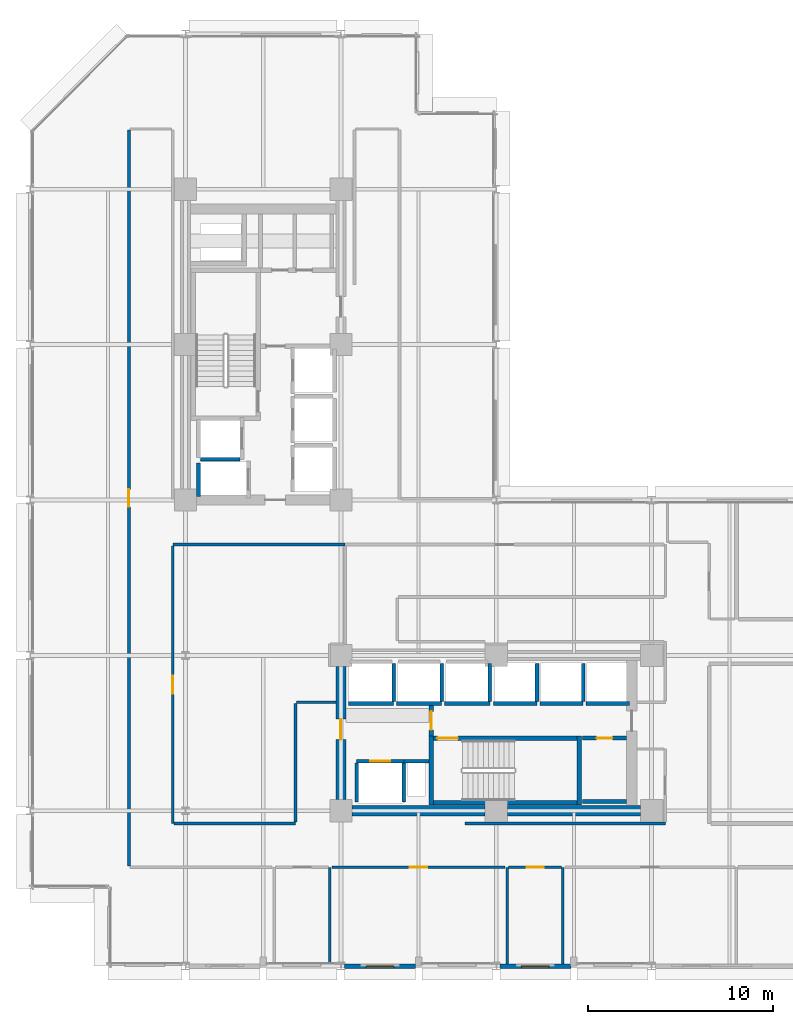
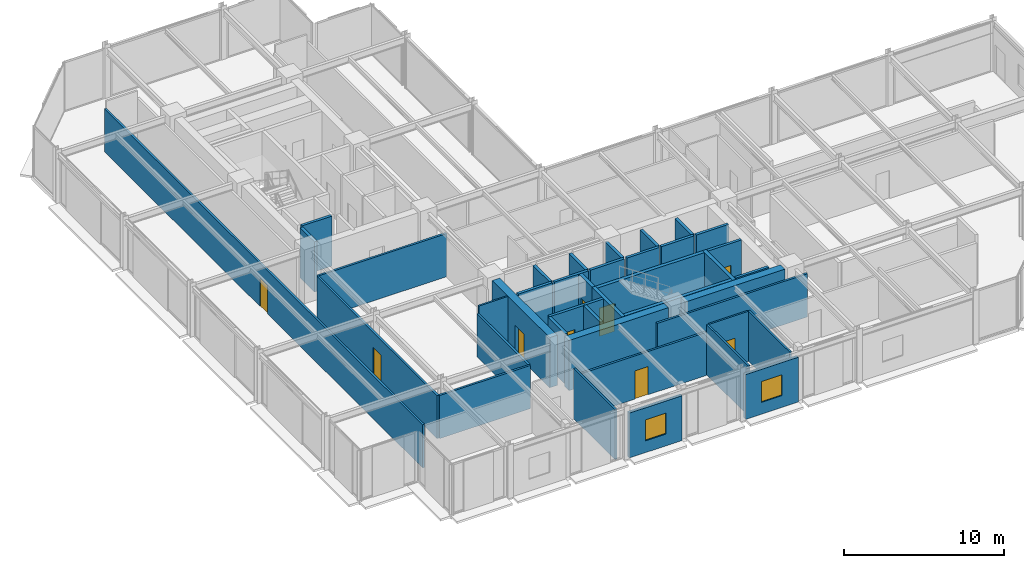
# One storey, part 32 of 39: 41 walls, 9 doors, 2 windows, 11 openings.
"""IFC4 building model written with IfcOpenShell, lengths in metres."""

import ifcopenshell
import ifcopenshell.guid

model = None  # the IFC model being written
_history = None  # IfcOwnerHistory: only IFC2X3 demands one
_inside = {}  # id of a spatial element -> (the spatial element, [elements in it])
_under = {}  # id of a project, library or spatial element -> (it, [spatial elements below it])
_declared = {}  # id of a project -> (the project, [libraries it declares])
_typed = {}  # id of a type object -> (the type object, [elements of that type])
_made_of = {}  # id of a material, layer set ... -> (it, [elements and type objects made of it])


def new_model(schema):
    """Start an empty IFC model of exactly this schema.

    Asked for "IFC4X3", IfcOpenShell would pick the latest addendum, in which some entities
    have other attributes; the version numbers below select the first issue.
    IFC2X3 requires an IfcOwnerHistory on every rooted entity: one is made here for all.
    """
    global model, _history
    if schema == "IFC4X3":
        model = ifcopenshell.file(schema_version=(4, 3, 0, 0))
    else:
        model = ifcopenshell.file(schema=schema)
    _inside.clear()
    _under.clear()
    _declared.clear()
    _typed.clear()
    _made_of.clear()
    _history = None
    if model.schema == "IFC2X3":
        org = make("IfcOrganization", Name="unknown")
        user = make(
            "IfcPersonAndOrganization",
            ThePerson=make("IfcPerson", FamilyName="unknown"),
            TheOrganization=org,
        )
        app = make(
            "IfcApplication",
            ApplicationDeveloper=org,
            Version="unknown",
            ApplicationFullName="unknown",
            ApplicationIdentifier="unknown",
        )
        _history = make(
            "IfcOwnerHistory",
            OwningUser=user,
            OwningApplication=app,
            ChangeAction="ADDED",
            CreationDate=0,
        )
    return model


def make(cls, **values):
    """One entity of the class cls with the attributes given. An attribute that is None is left unset."""
    return model.create_entity(
        cls, **{name: value for name, value in values.items() if value is not None}
    )


def rooted(cls, **values):
    """An entity with a GlobalId (a new one), such as an element, a storey or a relation."""
    return make(cls, GlobalId=ifcopenshell.guid.new(), OwnerHistory=_history, **values)


def si_unit(unit_type, name, prefix=None):
    """IfcSIUnit, for example si_unit("LENGTHUNIT", "METRE", prefix="MILLI")."""
    return make("IfcSIUnit", UnitType=unit_type, Prefix=prefix, Name=name)


def assignment(units):
    """IfcUnitAssignment: the units of a project."""
    return None if units is None else make("IfcUnitAssignment", Units=units)


def point(xyz):
    """IfcCartesianPoint."""
    return None if xyz is None else make("IfcCartesianPoint", Coordinates=xyz)


def direction(xyz):
    """IfcDirection."""
    return None if xyz is None else make("IfcDirection", DirectionRatios=xyz)


def frame(location, z_axis=None, x_axis=None):
    """IfcAxis2Placement3D, a coordinate frame: its origin and axes. An axis left out is left unset."""
    return make(
        "IfcAxis2Placement3D",
        Location=point(location),
        Axis=direction(z_axis),
        RefDirection=direction(x_axis),
    )


def frame_2d(location, x_axis=None):
    """IfcAxis2Placement2D, a coordinate frame in the plane: its origin and x axis."""
    return make(
        "IfcAxis2Placement2D", Location=point(location), RefDirection=direction(x_axis)
    )


def origin():
    """The frame at (0, 0, 0) with its axes left unset."""
    return frame((0.0, 0.0, 0.0))


def place(relative_to, where):
    """IfcLocalPlacement: puts the frame where relative to a parent placement (None: the world)."""
    return make(
        "IfcLocalPlacement", PlacementRelTo=relative_to, RelativePlacement=where
    )


def context(
    kind, dimensions, precision=None, world=None, true_north=None, identifier=None
):
    """IfcGeometricRepresentationContext, for example the 3D "Model" context."""
    return make(
        "IfcGeometricRepresentationContext",
        ContextIdentifier=identifier,
        ContextType=kind,
        CoordinateSpaceDimension=dimensions,
        Precision=precision,
        WorldCoordinateSystem=world,
        TrueNorth=true_north,
    )


def subcontext(parent, identifier, kind, view, scale=None):
    """IfcGeometricRepresentationSubContext, for example "Body" below "Model"."""
    return make(
        "IfcGeometricRepresentationSubContext",
        ContextIdentifier=identifier,
        ContextType=kind,
        ParentContext=parent,
        TargetScale=scale,
        TargetView=view,
    )


def project(units=None, contexts=None):
    """IfcProject with its units and contexts."""
    return rooted(
        "IfcProject",
        Name="project",
        RepresentationContexts=contexts,
        UnitsInContext=assignment(units),
    )


def spatial(cls, under=None, at=None, **own):
    """A site, building, storey or space (cls), placed at a placement, below another one or the project."""
    s = rooted(cls, ObjectPlacement=at, **own)
    if under is not None:
        _under.setdefault(under.id(), (under, []))[1].append(s)
    return s


def profile(cls, at=None, kind="AREA", **sizes):
    """A parametric profile (cls). Its sizes go by their IFC names, for example OverallWidth=200.0."""
    return make(cls, ProfileType=kind, Position=at, **sizes)


def rectangle(**sizes):
    """IfcRectangleProfileDef."""
    return profile("IfcRectangleProfileDef", **sizes)


def extrude(swept, where, along, depth):
    """IfcExtrudedAreaSolid: the profile swept, set in the frame where, extruded along a direction by depth."""
    return make(
        "IfcExtrudedAreaSolid",
        SweptArea=swept,
        Position=where,
        ExtrudedDirection=direction(along),
        Depth=depth,
    )


def shape(context_of_items, identifier, shape_type, items):
    """IfcShapeRepresentation: the items that make up one representation, for example the "Body"."""
    return make(
        "IfcShapeRepresentation",
        ContextOfItems=context_of_items,
        RepresentationIdentifier=identifier,
        RepresentationType=shape_type,
        Items=items,
    )


def material(Name=None, Category=None):
    """IfcMaterial."""
    return make("IfcMaterial", Name=Name, Category=Category)


def layer(
    of_material, thickness, ventilated=None, Name=None, Category=None, Priority=None
):
    """IfcMaterialLayer: one layer of a wall or slab, of a material (None: an air gap)."""
    return make(
        "IfcMaterialLayer",
        Material=of_material,
        LayerThickness=thickness,
        IsVentilated=ventilated,
        Name=Name,
        Category=Category,
        Priority=Priority,
    )


def layer_set(layers, Name=None):
    """IfcMaterialLayerSet."""
    return make("IfcMaterialLayerSet", MaterialLayers=layers, LayerSetName=Name)


def made_of(thing, what):
    """Note that an element or type object is made of a material, layer set ...; save() writes the relation."""
    if what is not None:
        _made_of.setdefault(what.id(), (what, []))[1].append(thing)
    return thing


def type_object(cls, material=None, **own):
    """A type object (cls), such as IfcWallType, which elements share."""
    return made_of(rooted(cls, **own), material)


def element(
    cls,
    number,
    at=None,
    inside=None,
    cuts=None,
    type_object=None,
    material=None,
    context=None,
    identifier="Body",
    shape_type=None,
    held_by="IfcProductDefinitionShape",
    body=None,
    shapes=None,
    **own,
):
    """One element of the class cls, such as IfcWall. Its Tag is "e" and its number.

    at: its placement. inside: the storey or other place that contains it. cuts: it is an
    opening in that element (IfcRelVoidsElement). A single representation is given by context,
    identifier, shape_type and body (its items); several are given by shapes. held_by: the class
    of the entity that holds the representations. save() writes the other relations.
    """
    e = rooted(cls, Tag="e%d" % number, ObjectPlacement=at, **own)
    if body is not None:
        shapes = [shape(context, identifier, shape_type, body)]
    if shapes is not None:
        e.Representation = make(held_by, Representations=shapes)
    if inside is not None:
        _inside.setdefault(inside.id(), (inside, []))[1].append(e)
    if cuts is not None:
        rooted(
            "IfcRelVoidsElement", RelatingBuildingElement=cuts, RelatedOpeningElement=e
        )
    if type_object is not None:
        _typed.setdefault(type_object.id(), (type_object, []))[1].append(e)
    return made_of(e, material)


def fill(opening, filler):
    """IfcRelFillsElement: the door or window that sits in an opening."""
    return rooted(
        "IfcRelFillsElement",
        RelatingOpeningElement=opening,
        RelatedBuildingElement=filler,
    )


def aggregate(whole, parts):
    """IfcRelAggregates: a whole, such as a stair, and the parts it consists of."""
    return rooted("IfcRelAggregates", RelatingObject=whole, RelatedObjects=parts)


def save(model, path):
    """Write the relations noted so far, then the file.

    IfcRelAggregates (storeys below a building ...), IfcRelContainedInSpatialStructure (elements
    in a storey), IfcRelDefinesByType, IfcRelAssociatesMaterial and IfcRelDeclares: one each for
    every whole, place, type object, material and project.
    """
    for whole, parts in _under.values():
        aggregate(whole, parts)
    for where, things in _inside.values():
        rooted(
            "IfcRelContainedInSpatialStructure",
            RelatedElements=things,
            RelatingStructure=where,
        )
    for kind, things in _typed.values():
        rooted("IfcRelDefinesByType", RelatedObjects=things, RelatingType=kind)
    for what, things in _made_of.values():
        rooted("IfcRelAssociatesMaterial", RelatedObjects=things, RelatingMaterial=what)
    for by, libraries in _declared.values():
        rooted("IfcRelDeclares", RelatingContext=by, RelatedDefinitions=libraries)
    model.write(path)


model = new_model("IFC4")

# Units and contexts
model_context = context("Model", 3, precision=1e-05, world=origin(), true_north=direction((0.0, 1.0)))
body_context = subcontext(model_context, "Body", "Model", "MODEL_VIEW")
ifc_project = project(units=[si_unit("LENGTHUNIT", "METRE"), si_unit("AREAUNIT", "SQUARE_METRE"), si_unit("VOLUMEUNIT", "CUBIC_METRE"), si_unit("PLANEANGLEUNIT", "RADIAN"), si_unit("MASSUNIT", "GRAM", prefix="KILO")], contexts=[model_context])

# Site, building, storey
site_placement = place(None, origin())
site = spatial("IfcSite", under=ifc_project, at=site_placement, CompositionType="ELEMENT")
building_placement = place(site_placement, origin())
building = spatial("IfcBuilding", under=site, at=building_placement, Name="Nerrivon Quay Data Exchange", CompositionType="ELEMENT")
storey_placement = place(building_placement, frame((0.0, 0.0, 92.60009765625)))
storey = spatial("IfcBuildingStorey", under=building, at=storey_placement, Name="L21", CompositionType="ELEMENT", Elevation=92.60009765625)

# Wall, opening, window
ifc_material_1 = material(Name="Architectural terracotta precast concrete N50 (50 MPa)", Category="masonry")
ifc_layer_1 = layer(ifc_material_1, 0.239990234375)
ifc_layer_set_1 = layer_set([ifc_layer_1], Name="Architectural terracotta precast concrete N50 (50 MPa)")
wall_type_1 = type_object("IfcWallType", Name="EW-PREC-240", PredefinedType="STANDARD", material=ifc_layer_set_1)
wall_1_placement = place(storey_placement, frame((29.22509765625, 0.0, 0.0), z_axis=(0.0, 0.0, 1.0), x_axis=(-1.0, 0.0, 0.0)))
wall_1 = element("IfcWall", 1, at=wall_1_placement, inside=storey, type_object=wall_type_1, Name="L21 Podium Precast Spandrel Wall 9", PredefinedType="STANDARD", context=body_context, shape_type="SweptSolid", body=[
    extrude(rectangle(XDim=3.8251953125, YDim=0.239990234375, at=frame_2d((1.91259765625, 0.0))), origin(), (0.0, 0.0, 1.0), 3.421875),
])
opening_1_placement = place(wall_1_placement, frame((1.175048828125, 0.0, 0.89990234375)))
opening_1 = element("IfcOpeningElement", 2, at=opening_1_placement, cuts=wall_1, Name="Opening WN4", PredefinedType="OPENING", context=body_context, shape_type="SweptSolid", body=[
    extrude(rectangle(XDim=1.5, YDim=1.60009765625, at=frame_2d((0.75, 0.800048828125))), frame((0.0, 0.1298828125, 0.0), z_axis=(0.0, -1.0, 0.0), x_axis=(1.0, 0.0, 0.0)), (0.0, 0.0, 1.0), 0.260009765625),
])
ifc_material_2 = material(Name="Double-glazed low-E solar control glass", Category="glass")
window_type = type_object("IfcWindowType", Name="WIN-W4-1500x1600", PartitioningType="SINGLE_PANEL", PredefinedType="WINDOW", material=ifc_material_2)
window_1_placement = place(opening_1_placement, origin())
window_1 = element("IfcWindow", 3, at=window_1_placement, inside=storey, type_object=window_type, Name="L21 Solar Facade Window 9", OverallHeight=1.60009765625, OverallWidth=1.5, PartitioningType="SINGLE_PANEL", PredefinedType="WINDOW", context=body_context, shape_type="SweptSolid", body=[
    extrude(rectangle(XDim=1.5, YDim=1.60009765625, at=frame_2d((0.75, 0.800048828125))), frame((0.0, 0.030029296875, 0.0), z_axis=(0.0, -1.0, 0.0), x_axis=(1.0, 0.0, 0.0)), (0.0, 0.0, 1.0), 0.06005859375),
])
fill(opening_1, window_1)

wall_2_placement = place(storey_placement, frame((20.824951171875, 0.0, 0.0), z_axis=(0.0, 0.0, 1.0), x_axis=(-1.0, 0.0, 0.0)))
wall_2 = element("IfcWall", 4, at=wall_2_placement, inside=storey, type_object=wall_type_1, Name="L21 Podium Precast Spandrel Wall 11", PredefinedType="STANDARD", context=body_context, shape_type="SweptSolid", body=[
    extrude(rectangle(XDim=3.824951171875, YDim=0.239990234375, at=frame_2d((1.91259765625, 0.0))), origin(), (0.0, 0.0, 1.0), 3.421875),
])
opening_2_placement = place(wall_2_placement, frame((1.16259765625, 0.0, 0.89990234375)))
opening_2 = element("IfcOpeningElement", 5, at=opening_2_placement, cuts=wall_2, Name="Opening WN4", PredefinedType="OPENING", context=body_context, shape_type="SweptSolid", body=[
    extrude(rectangle(XDim=1.5, YDim=1.60009765625, at=frame_2d((0.75, 0.800048828125))), frame((0.0, 0.1298828125, 0.0), z_axis=(0.0, -1.0, 0.0), x_axis=(1.0, 0.0, 0.0)), (0.0, 0.0, 1.0), 0.260009765625),
])
window_2_placement = place(opening_2_placement, origin())
window_2 = element("IfcWindow", 6, at=window_2_placement, inside=storey, type_object=window_type, Name="L21 Solar Facade Window 11", OverallHeight=1.60009765625, OverallWidth=1.5, PartitioningType="SINGLE_PANEL", PredefinedType="WINDOW", context=body_context, shape_type="SweptSolid", body=[
    extrude(rectangle(XDim=1.5, YDim=1.60009765625, at=frame_2d((0.75, 0.800048828125))), frame((0.0, 0.030029296875, 0.0), z_axis=(0.0, -1.0, 0.0), x_axis=(1.0, 0.0, 0.0)), (0.0, 0.0, 1.0), 0.06005859375),
])
fill(opening_2, window_2)

# Walls
ifc_material_3 = material(Name="Concrete S65 (65 MPa)", Category="concrete")
ifc_layer_2 = layer(ifc_material_3, 0.550048828125)
ifc_layer_set_2 = layer_set([ifc_layer_2], Name="Concrete S65 (65 MPa)")
wall_type_2 = type_object("IfcWallType", Name="WALL-CW-700", PredefinedType="SHEAR", material=ifc_layer_set_2)
wall_3_placement = place(storey_placement, frame((17.39990234375, 8.39990234375, 0.0), z_axis=(0.0, 0.0, 1.0), x_axis=(1.0, 0.0, 0.0)))
element("IfcWall", 7, at=wall_3_placement, inside=storey, type_object=wall_type_2, Name="L21 East Split-Core Shear Wall ECW-S1", PredefinedType="SHEAR", context=body_context, shape_type="SweptSolid", body=[
    extrude(rectangle(XDim=7.2001953125, YDim=0.550048828125, at=frame_2d((3.60009765625, 0.0))), origin(), (0.0, 0.0, 1.0), 3.824951171875),
])
wall_4_placement = place(storey_placement, frame((25.800048828125, 8.39990234375, 0.0), z_axis=(0.0, 0.0, 1.0), x_axis=(1.0, 0.0, 0.0)))
element("IfcWall", 8, at=wall_4_placement, inside=storey, type_object=wall_type_2, Name="L21 East Split-Core Shear Wall ECW-S2", PredefinedType="SHEAR", context=body_context, shape_type="SweptSolid", body=[
    extrude(rectangle(XDim=7.199951171875, YDim=0.550048828125, at=frame_2d((3.60009765625, 0.0))), origin(), (0.0, 0.0, 1.0), 3.824951171875),
])

# Wall, opening, door
wall_5_placement = place(storey_placement, frame((16.800048828125, 9.0, 0.0), z_axis=(0.0, 0.0, 1.0), x_axis=(0.0, 1.0, 0.0)))
wall_5 = element("IfcWall", 9, at=wall_5_placement, inside=storey, type_object=wall_type_2, Name="L21 East Split-Core Shear Wall ECW-W1", PredefinedType="SHEAR", context=body_context, shape_type="SweptSolid", body=[
    extrude(rectangle(XDim=7.199951171875, YDim=0.550048828125, at=frame_2d((3.60009765625, 0.0))), origin(), (0.0, 0.0, 1.0), 3.824951171875),
])
opening_3_placement = place(wall_5_placement, frame((3.25, 0.0, 0.0)))
opening_3 = element("IfcOpeningElement", 10, at=opening_3_placement, cuts=wall_5, Name="Opening FD-120", PredefinedType="OPENING", context=body_context, shape_type="SweptSolid", body=[
    extrude(rectangle(XDim=1.10009765625, YDim=2.14990234375, at=frame_2d((0.550048828125, 1.074951171875))), frame((0.0, 0.284912109375, 0.0), z_axis=(0.0, -1.0, 0.0), x_axis=(1.0, 0.0, 0.0)), (0.0, 0.0, 1.0), 0.570068359375),
])
ifc_material_4 = material(Name="Powder-coated galvanized steel sheet", Category="steel")
door_type_1 = type_object("IfcDoorType", Name="DR-FD120-1100", OperationType="NOTDEFINED", PredefinedType="DOOR", material=ifc_material_4)
door_1_placement = place(opening_3_placement, origin())
door_1 = element("IfcDoor", 11, at=door_1_placement, inside=storey, type_object=door_type_1, Name="L21 East Core Lobby Fire Door", OperationType="SINGLE_SWING_LEFT", OverallHeight=2.14990234375, OverallWidth=1.10009765625, PredefinedType="DOOR", context=body_context, shape_type="SweptSolid", body=[
    extrude(rectangle(XDim=1.10009765625, YDim=2.14990234375, at=frame_2d((0.550048828125, 1.074951171875))), frame((0.0, 0.02490234375, 0.0), z_axis=(0.0, -1.0, 0.0), x_axis=(1.0, 0.0, 0.0)), (0.0, 0.0, 1.0), 0.050048828125),
])
fill(opening_3, door_1)

# Walls
ifc_material_5 = material(Name="Gypsum plasterboard on cold-formed framing", Category="gypsum")
ifc_layer_3 = layer(ifc_material_5, 0.199951171875)
ifc_layer_set_3 = layer_set([ifc_layer_3], Name="Gypsum plasterboard on cold-formed framing")
wall_type_3 = type_object("IfcWallType", Name="WALL-FW-200", PredefinedType="PARTITIONING", material=ifc_layer_set_3)
wall_6_placement = place(storey_placement, frame((20.199951171875, 11.080078125, 0.0), z_axis=(0.0, 0.0, 1.0), x_axis=(1.0, 0.0, 0.0)))
element("IfcWall", 12, at=wall_6_placement, inside=storey, type_object=wall_type_3, Name="L21 East Core MEP Riser Shaft Wall N", PredefinedType="PARTITIONING", context=body_context, shape_type="SweptSolid", body=[
    extrude(rectangle(XDim=1.35009765625, YDim=0.199951171875, at=frame_2d((0.675048828125, 0.0))), origin(), (0.0, 0.0, 1.0), 3.824951171875),
])
wall_7_placement = place(storey_placement, frame((9.199951171875, 27.39990234375, 0.0), z_axis=(0.0, 0.0, 1.0), x_axis=(1.0, 0.0, 0.0)))
element("IfcWall", 13, at=wall_7_placement, inside=storey, type_object=wall_type_3, Name="L21 Lift Shaft Wall FFL-1 SOUTH", PredefinedType="PARTITIONING", context=body_context, shape_type="SweptSolid", body=[
    extrude(rectangle(XDim=2.150146484375, YDim=0.199951171875, at=frame_2d((1.0751953125, 0.0))), origin(), (0.0, 0.0, 1.0), 3.824951171875),
])
wall_8_placement = place(storey_placement, frame((9.10009765625, 25.39990234375, 0.0), z_axis=(0.0, 0.0, 1.0), x_axis=(0.0, 1.0, 0.0)))
element("IfcWall", 14, at=wall_8_placement, inside=storey, type_object=wall_type_3, Name="L21 Lift Shaft Wall SVL-1 WEST", PredefinedType="PARTITIONING", context=body_context, shape_type="SweptSolid", body=[
    extrude(rectangle(XDim=1.800048828125, YDim=0.199951171875, at=frame_2d((0.89990234375, 0.0))), origin(), (0.0, 0.0, 1.0), 3.824951171875),
])

# Wall, opening, door
wall_9_placement = place(storey_placement, frame((17.64990234375, 11.080078125, 0.0), z_axis=(0.0, 0.0, 1.0), x_axis=(1.0, 0.0, 0.0)))
wall_9 = element("IfcWall", 15, at=wall_9_placement, inside=storey, type_object=wall_type_3, Name="L21 Lift Front Wall FFL-2", PredefinedType="PARTITIONING", context=body_context, shape_type="SweptSolid", body=[
    extrude(rectangle(XDim=2.550048828125, YDim=0.199951171875, at=frame_2d((1.27490234375, 0.0))), origin(), (0.0, 0.0, 1.0), 3.824951171875),
])
opening_4_placement = place(wall_9_placement, frame((0.72509765625, 0.0, 0.0)))
opening_4 = element("IfcOpeningElement", 16, at=opening_4_placement, cuts=wall_9, Name="Opening LD-120", PredefinedType="OPENING", context=body_context, shape_type="SweptSolid", body=[
    extrude(rectangle(XDim=1.10009765625, YDim=2.199951171875, at=frame_2d((0.550048828125, 1.10009765625))), frame((0.0, 0.10986328125, 0.0), z_axis=(0.0, -1.0, 0.0), x_axis=(1.0, 0.0, 0.0)), (0.0, 0.0, 1.0), 0.219970703125),
])
door_type_2 = type_object("IfcDoorType", Name="DR-LIFT-LD120", OperationType="DOUBLE_DOOR_SLIDING", PredefinedType="DOOR", material=ifc_material_4)
door_2_placement = place(opening_4_placement, origin())
door_2 = element("IfcDoor", 17, at=door_2_placement, inside=storey, type_object=door_type_2, Name="L21 Lift Landing Sliding Door FFL-2", OperationType="DOUBLE_DOOR_SLIDING", OverallHeight=2.199951171875, OverallWidth=1.10009765625, PredefinedType="DOOR", context=body_context, shape_type="SweptSolid", body=[
    extrude(rectangle(XDim=1.10009765625, YDim=2.199951171875, at=frame_2d((0.550048828125, 1.10009765625))), frame((0.0, 0.02490234375, 0.0), z_axis=(0.0, -1.0, 0.0), x_axis=(1.0, 0.0, 0.0)), (0.0, 0.0, 1.0), 0.050048828125),
])
fill(opening_4, door_2)

# Walls
for number, where, z_axis, x_axis, name in (
    (18, (20.199951171875, 8.8798828125, 0.0), (0.0, 0.0, 1.0), (0.0, 1.0, 0.0), "L21 Lift Shaft Wall FFL-2 EAST"),
    (19, (17.64990234375, 8.8798828125, 0.0), (0.0, 0.0, 1.0), (0.0, 1.0, 0.0), "L21 Lift Shaft Wall FFL-2 WEST"),
):
    element("IfcWall", number, at=place(storey_placement, frame(where, z_axis=z_axis, x_axis=x_axis)), inside=storey, type_object=wall_type_3, Name=name, PredefinedType="PARTITIONING", context=body_context, shape_type="SweptSolid", body=[
        extrude(rectangle(XDim=2.10009765625, YDim=0.199951171875, at=frame_2d((1.050048828125, 0.0))), origin(), (0.0, 0.0, 1.0), 3.824951171875),
    ])
wall_10_placement = place(storey_placement, frame((17.199951171875, 14.199951171875, 0.0), z_axis=(0.0, 0.0, 1.0), x_axis=(1.0, 0.0, 0.0)))
element("IfcWall", 20, at=wall_10_placement, inside=storey, type_object=wall_type_3, Name="L21 Lift Front Wall PL4", PredefinedType="PARTITIONING", context=body_context, shape_type="SweptSolid", body=[
    extrude(rectangle(XDim=2.449951171875, YDim=0.199951171875, at=frame_2d((1.22509765625, 0.0))), origin(), (0.0, 0.0, 1.0), 3.824951171875),
])
wall_11_placement = place(storey_placement, frame((19.64990234375, 14.300048828125, 0.0), z_axis=(0.0, 0.0, 1.0), x_axis=(0.0, 1.0, 0.0)))
element("IfcWall", 21, at=wall_11_placement, inside=storey, type_object=wall_type_3, Name="L21 Lift Shaft Wall PL4 EAST", PredefinedType="PARTITIONING", context=body_context, shape_type="SweptSolid", body=[
    extrude(rectangle(XDim=2.050048828125, YDim=0.199951171875, at=frame_2d((1.02490234375, 0.0))), origin(), (0.0, 0.0, 1.0), 3.824951171875),
])
wall_12_placement = place(storey_placement, frame((19.800048828125, 14.199951171875, 0.0), z_axis=(0.0, 0.0, 1.0), x_axis=(1.0, 0.0, 0.0)))
element("IfcWall", 22, at=wall_12_placement, inside=storey, type_object=wall_type_3, Name="L21 Lift Front Wall PL5", PredefinedType="PARTITIONING", context=body_context, shape_type="SweptSolid", body=[
    extrude(rectangle(XDim=2.449951171875, YDim=0.199951171875, at=frame_2d((1.22509765625, 0.0))), origin(), (0.0, 0.0, 1.0), 3.824951171875),
])
wall_13_placement = place(storey_placement, frame((22.25, 14.300048828125, 0.0), z_axis=(0.0, 0.0, 1.0), x_axis=(0.0, 1.0, 0.0)))
element("IfcWall", 23, at=wall_13_placement, inside=storey, type_object=wall_type_3, Name="L21 Lift Shaft Wall PL5 EAST", PredefinedType="PARTITIONING", context=body_context, shape_type="SweptSolid", body=[
    extrude(rectangle(XDim=2.050048828125, YDim=0.199951171875, at=frame_2d((1.02490234375, 0.0))), origin(), (0.0, 0.0, 1.0), 3.824951171875),
])
wall_14_placement = place(storey_placement, frame((22.39990234375, 14.199951171875, 0.0), z_axis=(0.0, 0.0, 1.0), x_axis=(1.0, 0.0, 0.0)))
element("IfcWall", 24, at=wall_14_placement, inside=storey, type_object=wall_type_3, Name="L21 Lift Front Wall PL6", PredefinedType="PARTITIONING", context=body_context, shape_type="SweptSolid", body=[
    extrude(rectangle(XDim=2.4501953125, YDim=0.199951171875, at=frame_2d((1.22509765625, 0.0))), origin(), (0.0, 0.0, 1.0), 3.824951171875),
])
wall_15_placement = place(storey_placement, frame((24.85009765625, 14.300048828125, 0.0), z_axis=(0.0, 0.0, 1.0), x_axis=(0.0, 1.0, 0.0)))
element("IfcWall", 25, at=wall_15_placement, inside=storey, type_object=wall_type_3, Name="L21 Lift Shaft Wall PL6 EAST", PredefinedType="PARTITIONING", context=body_context, shape_type="SweptSolid", body=[
    extrude(rectangle(XDim=2.050048828125, YDim=0.199951171875, at=frame_2d((1.02490234375, 0.0))), origin(), (0.0, 0.0, 1.0), 3.824951171875),
])
wall_16_placement = place(storey_placement, frame((25.050048828125, 14.199951171875, 0.0), z_axis=(0.0, 0.0, 1.0), x_axis=(1.0, 0.0, 0.0)))
element("IfcWall", 26, at=wall_16_placement, inside=storey, type_object=wall_type_3, Name="L21 Lift Front Wall PL7", PredefinedType="PARTITIONING", context=body_context, shape_type="SweptSolid", body=[
    extrude(rectangle(XDim=2.349853515625, YDim=0.199951171875, at=frame_2d((1.1748046875, 0.0))), origin(), (0.0, 0.0, 1.0), 3.824951171875),
])
wall_17_placement = place(storey_placement, frame((27.39990234375, 14.300048828125, 0.0), z_axis=(0.0, 0.0, 1.0), x_axis=(0.0, 1.0, 0.0)))
element("IfcWall", 27, at=wall_17_placement, inside=storey, type_object=wall_type_3, Name="L21 Lift Shaft Wall PL7 EAST", PredefinedType="PARTITIONING", context=body_context, shape_type="SweptSolid", body=[
    extrude(rectangle(XDim=2.050048828125, YDim=0.199951171875, at=frame_2d((1.02490234375, 0.0))), origin(), (0.0, 0.0, 1.0), 3.824951171875),
])
wall_18_placement = place(storey_placement, frame((27.550048828125, 14.199951171875, 0.0), z_axis=(0.0, 0.0, 1.0), x_axis=(1.0, 0.0, 0.0)))
element("IfcWall", 28, at=wall_18_placement, inside=storey, type_object=wall_type_3, Name="L21 Lift Front Wall PL8", PredefinedType="PARTITIONING", context=body_context, shape_type="SweptSolid", body=[
    extrude(rectangle(XDim=2.349853515625, YDim=0.199951171875, at=frame_2d((1.1748046875, 0.0))), origin(), (0.0, 0.0, 1.0), 3.824951171875),
])
wall_19_placement = place(storey_placement, frame((29.89990234375, 14.300048828125, 0.0), z_axis=(0.0, 0.0, 1.0), x_axis=(0.0, 1.0, 0.0)))
element("IfcWall", 29, at=wall_19_placement, inside=storey, type_object=wall_type_3, Name="L21 Lift Shaft Wall PL8 EAST", PredefinedType="PARTITIONING", context=body_context, shape_type="SweptSolid", body=[
    extrude(rectangle(XDim=2.050048828125, YDim=0.199951171875, at=frame_2d((1.02490234375, 0.0))), origin(), (0.0, 0.0, 1.0), 3.824951171875),
])
wall_20_placement = place(storey_placement, frame((30.050048828125, 14.199951171875, 0.0), z_axis=(0.0, 0.0, 1.0), x_axis=(1.0, 0.0, 0.0)))
element("IfcWall", 30, at=wall_20_placement, inside=storey, type_object=wall_type_3, Name="L21 Lift Front Wall PL9", PredefinedType="PARTITIONING", context=body_context, shape_type="SweptSolid", body=[
    extrude(rectangle(XDim=2.349853515625, YDim=0.199951171875, at=frame_2d((1.1748046875, 0.0))), origin(), (0.0, 0.0, 1.0), 3.824951171875),
])

# Wall, opening, door
wall_21_placement = place(storey_placement, frame((32.24609375, 12.330078125, 0.0), z_axis=(0.0, 0.0, 1.0), x_axis=(-1.0, 0.0, 0.0)))
wall_21 = element("IfcWall", 31, at=wall_21_placement, inside=storey, type_object=wall_type_3, Name="L21 Partition East Supply Store", PredefinedType="PARTITIONING", context=body_context, shape_type="SweptSolid", body=[
    extrude(rectangle(XDim=2.39599609375, YDim=0.199951171875, at=frame_2d((1.197998046875, 0.0))), origin(), (0.0, 0.0, 1.0), 3.824951171875),
])
opening_5_placement = place(wall_21_placement, frame((0.77294921875, 0.0, 0.0)))
opening_5 = element("IfcOpeningElement", 32, at=opening_5_placement, cuts=wall_21, Name="Opening FD-60S", PredefinedType="OPENING", context=body_context, shape_type="SweptSolid", body=[
    extrude(rectangle(XDim=0.85009765625, YDim=2.14990234375, at=frame_2d((0.425048828125, 1.074951171875))), frame((0.0, 0.10986328125, 0.0), z_axis=(0.0, -1.0, 0.0), x_axis=(1.0, 0.0, 0.0)), (0.0, 0.0, 1.0), 0.219970703125),
])
ifc_material_6 = material(Name="Engineered hardwood timber", Category="wood")
door_type_3 = type_object("IfcDoorType", Name="DR-FD60-850", OperationType="NOTDEFINED", PredefinedType="DOOR", material=ifc_material_6)
door_3_placement = place(opening_5_placement, origin())
door_3 = element("IfcDoor", 33, at=door_3_placement, inside=storey, type_object=door_type_3, Name="L21 Door East Supply Store", OperationType="SINGLE_SWING_RIGHT", OverallHeight=2.14990234375, OverallWidth=0.85009765625, PredefinedType="DOOR", context=body_context, shape_type="SweptSolid", body=[
    extrude(rectangle(XDim=0.85009765625, YDim=2.14990234375, at=frame_2d((0.425048828125, 1.074951171875))), frame((0.0, 0.02490234375, 0.0), z_axis=(0.0, -1.0, 0.0), x_axis=(1.0, 0.0, 0.0)), (0.0, 0.0, 1.0), 0.050048828125),
])
fill(opening_5, door_3)

# Wall
wall_22_placement = place(storey_placement, frame((29.85009765625, 8.89990234375, 0.0), z_axis=(0.0, 0.0, 1.0), x_axis=(1.0, 0.0, 0.0)))
element("IfcWall", 34, at=wall_22_placement, inside=storey, type_object=wall_type_3, Name="L21 Partition East Supply Store", PredefinedType="PARTITIONING", context=body_context, shape_type="SweptSolid", body=[
    extrude(rectangle(XDim=2.39599609375, YDim=0.199951171875, at=frame_2d((1.197998046875, 0.0))), origin(), (0.0, 0.0, 1.0), 3.824951171875),
])

# Wall, opening, door
ifc_layer_4 = layer(ifc_material_5, 0.1201171875)
ifc_layer_set_4 = layer_set([ifc_layer_4], Name="Gypsum plasterboard on cold-formed framing")
wall_type_4 = type_object("IfcWallType", Name="WALL-PT-120", PredefinedType="PARTITIONING", material=ifc_layer_set_4)
wall_23_placement = place(storey_placement, frame((28.728515625, 5.340087890625, 0.0), z_axis=(0.0, 0.0, 1.0), x_axis=(-1.0, 0.0, 0.0)))
wall_23 = element("IfcWall", 35, at=wall_23_placement, inside=storey, type_object=wall_type_4, Name="L21 Partition Public Washrooms", PredefinedType="PARTITIONING", context=body_context, shape_type="SweptSolid", body=[
    extrude(rectangle(XDim=2.85693359375, YDim=0.1201171875, at=frame_2d((1.428466796875, 0.0))), origin(), (0.0, 0.0, 1.0), 3.824951171875),
])
opening_6_placement = place(wall_23_placement, frame((0.968505859375, 0.0, 0.0)))
opening_6 = element("IfcOpeningElement", 36, at=opening_6_placement, cuts=wall_23, Name="Opening D-WC", PredefinedType="OPENING", context=body_context, shape_type="SweptSolid", body=[
    extrude(rectangle(XDim=0.919921875, YDim=2.10009765625, at=frame_2d((0.4599609375, 1.050048828125))), frame((0.0, 0.070068359375, 0.0), z_axis=(0.0, -1.0, 0.0), x_axis=(1.0, 0.0, 0.0)), (0.0, 0.0, 1.0), 0.14013671875),
])
door_type_4 = type_object("IfcDoorType", Name="DR-WC-920", OperationType="NOTDEFINED", PredefinedType="DOOR", material=ifc_material_6)
door_4_placement = place(opening_6_placement, origin())
door_4 = element("IfcDoor", 37, at=door_4_placement, inside=storey, type_object=door_type_4, Name="L21 Door Public Washrooms", OperationType="SINGLE_SWING_RIGHT", OverallHeight=2.10009765625, OverallWidth=0.919921875, PredefinedType="DOOR", context=body_context, shape_type="SweptSolid", body=[
    extrude(rectangle(XDim=0.919921875, YDim=2.10009765625, at=frame_2d((0.4599609375, 1.050048828125))), frame((0.0, 0.02490234375, 0.0), z_axis=(0.0, -1.0, 0.0), x_axis=(1.0, 0.0, 0.0)), (0.0, 0.0, 1.0), 0.050048828125),
])
fill(opening_6, door_4)

# Walls
wall_24_placement = place(storey_placement, frame((14.39990234375, 14.260009765625, 0.0), z_axis=(0.0, 0.0, 1.0), x_axis=(1.0, 0.0, 0.0)))
element("IfcWall", 38, at=wall_24_placement, inside=storey, type_object=wall_type_4, Name="L21 Partition Cloud Compute Workspace 1", PredefinedType="PARTITIONING", context=body_context, shape_type="SweptSolid", body=[
    extrude(rectangle(XDim=2.12109375, YDim=0.1201171875, at=frame_2d((1.060546875, 0.0))), origin(), (0.0, 0.0, 1.0), 3.824951171875),
])
ifc_layer_5 = layer(ifc_material_5, 0.135009765625)
ifc_layer_set_5 = layer_set([ifc_layer_5], Name="Gypsum plasterboard on cold-formed framing")
wall_type_5 = type_object("IfcWallType", Name="WALL-PT-135", PredefinedType="PARTITIONING", material=ifc_layer_set_5)
wall_25_placement = place(storey_placement, frame((16.199951171875, 0.1689453125, 0.0), z_axis=(0.0, 0.0, 1.0), x_axis=(0.0, 1.0, 0.0)))
element("IfcWall", 39, at=wall_25_placement, inside=storey, type_object=wall_type_5, Name="L21 Partition Accessible Toilet", PredefinedType="PARTITIONING", context=body_context, shape_type="SweptSolid", body=[
    extrude(rectangle(XDim=5.171142578125, YDim=0.135009765625, at=frame_2d((2.58544921875, 0.0))), origin(), (0.0, 0.0, 1.0), 3.824951171875),
])
for number, where, z_axis, x_axis, name in (
    (40, (25.800048828125, 5.340087890625, 0.0), (0.0, 0.0, 1.0), (0.0, -1.0, 0.0), "L21 Partition Public Washrooms"),
    (41, (28.800048828125, 0.1240234375, 0.0), (0.0, 0.0, 1.0), (0.0, 1.0, 0.0), "L21 Partition Public Washrooms"),
):
    element("IfcWall", number, at=place(storey_placement, frame(where, z_axis=z_axis, x_axis=x_axis)), inside=storey, type_object=wall_type_5, Name=name, PredefinedType="PARTITIONING", context=body_context, shape_type="SweptSolid", body=[
        extrude(rectangle(XDim=5.216064453125, YDim=0.135009765625, at=frame_2d((2.60791015625, 0.0))), origin(), (0.0, 0.0, 1.0), 3.824951171875),
    ])
ifc_layer_6 = layer(ifc_material_5, 0.14990234375)
ifc_layer_set_6 = layer_set([ifc_layer_6], Name="Gypsum plasterboard on cold-formed framing")
wall_type_6 = type_object("IfcWallType", Name="WALL-PT-150", PredefinedType="PARTITIONING", material=ifc_layer_set_6)
wall_26_placement = place(storey_placement, frame((23.50244140625, 7.7099609375, 0.0), z_axis=(0.0, 0.0, 1.0), x_axis=(1.0, 0.0, 0.0)))
element("IfcWall", 42, at=wall_26_placement, inside=storey, type_object=wall_type_6, Name="L21 Partition Staff Pantry", PredefinedType="PARTITIONING", context=body_context, shape_type="SweptSolid", body=[
    extrude(rectangle(XDim=10.837646484375, YDim=0.14990234375, at=frame_2d((5.4189453125, 0.0))), origin(), (0.0, 0.0, 1.0), 3.296875),
])

# Wall, opening, door
wall_27_placement = place(storey_placement, frame((25.679931640625, 5.340087890625, 0.0), z_axis=(0.0, 0.0, 1.0), x_axis=(-1.0, 0.0, 0.0)))
wall_27 = element("IfcWall", 43, at=wall_27_placement, inside=storey, type_object=wall_type_6, Name="L21 Partition Mail and Crew Room", PredefinedType="PARTITIONING", context=body_context, shape_type="SweptSolid", body=[
    extrude(rectangle(XDim=9.35986328125, YDim=0.14990234375, at=frame_2d((4.679931640625, 0.0))), origin(), (0.0, 0.0, 1.0), 3.296875),
])
opening_7_placement = place(wall_27_placement, frame((4.205078125, 0.0, 0.0)))
opening_7 = element("IfcOpeningElement", 44, at=opening_7_placement, cuts=wall_27, Name="Opening D-01", PredefinedType="OPENING", context=body_context, shape_type="SweptSolid", body=[
    extrude(rectangle(XDim=0.949951171875, YDim=2.14990234375, at=frame_2d((0.47509765625, 1.074951171875))), frame((0.0, 0.0849609375, 0.0), z_axis=(0.0, -1.0, 0.0), x_axis=(1.0, 0.0, 0.0)), (0.0, 0.0, 1.0), 0.169921875),
])
door_type_5 = type_object("IfcDoorType", Name="DR-INT-950", OperationType="NOTDEFINED", PredefinedType="DOOR", material=ifc_material_6)
door_5_placement = place(opening_7_placement, origin())
door_5 = element("IfcDoor", 45, at=door_5_placement, inside=storey, type_object=door_type_5, Name="L21 Door Mail and Crew Room", OperationType="SINGLE_SWING_LEFT", OverallHeight=2.14990234375, OverallWidth=0.949951171875, PredefinedType="DOOR", context=body_context, shape_type="SweptSolid", body=[
    extrude(rectangle(XDim=0.949951171875, YDim=2.14990234375, at=frame_2d((0.47509765625, 1.074951171875))), frame((0.0, 0.02490234375, 0.0), z_axis=(0.0, -1.0, 0.0), x_axis=(1.0, 0.0, 0.0)), (0.0, 0.0, 1.0), 0.050048828125),
])
fill(opening_7, door_5)

# Wall
wall_28_placement = place(storey_placement, frame((17.010498046875, 22.7900390625, 0.0), z_axis=(0.0, 0.0, 1.0), x_axis=(-1.0, 0.0, 0.0)))
element("IfcWall", 46, at=wall_28_placement, inside=storey, type_object=wall_type_6, Name="L21 Partition Cloud Compute Workspace 1", PredefinedType="PARTITIONING", context=body_context, shape_type="SweptSolid", body=[
    extrude(rectangle(XDim=9.300537109375, YDim=0.14990234375, at=frame_2d((4.650390625, 0.0))), origin(), (0.0, 0.0, 1.0), 3.296875),
])

# Wall, opening, door
wall_29_placement = place(storey_placement, frame((7.7099609375, 22.7109375, 0.0), z_axis=(0.0, 0.0, 1.0), x_axis=(0.0, -1.0, 0.0)))
wall_29 = element("IfcWall", 47, at=wall_29_placement, inside=storey, type_object=wall_type_6, Name="L21 Partition Cloud Compute Workspace 1", PredefinedType="PARTITIONING", context=body_context, shape_type="SweptSolid", body=[
    extrude(rectangle(XDim=15.0009765625, YDim=0.14990234375, at=frame_2d((7.50048828125, 0.0))), origin(), (0.0, 0.0, 1.0), 3.2919921875),
])
opening_8_placement = place(wall_29_placement, frame((7.025390625, 0.0, 0.0)))
opening_8 = element("IfcOpeningElement", 48, at=opening_8_placement, cuts=wall_29, Name="Opening D-01", PredefinedType="OPENING", context=body_context, shape_type="SweptSolid", body=[
    extrude(rectangle(XDim=0.949951171875, YDim=2.14990234375, at=frame_2d((0.47509765625, 1.074951171875))), frame((0.0, 0.0849609375, 0.0), z_axis=(0.0, -1.0, 0.0), x_axis=(1.0, 0.0, 0.0)), (0.0, 0.0, 1.0), 0.169921875),
])
door_6_placement = place(opening_8_placement, origin())
door_6 = element("IfcDoor", 49, at=door_6_placement, inside=storey, type_object=door_type_5, Name="L21 Door Cloud Compute Workspace 1", OperationType="SINGLE_SWING_LEFT", OverallHeight=2.14990234375, OverallWidth=0.949951171875, PredefinedType="DOOR", context=body_context, shape_type="SweptSolid", body=[
    extrude(rectangle(XDim=0.949951171875, YDim=2.14990234375, at=frame_2d((0.47509765625, 1.074951171875))), frame((0.0, 0.02490234375, 0.0), z_axis=(0.0, -1.0, 0.0), x_axis=(1.0, 0.0, 0.0)), (0.0, 0.0, 1.0), 0.050048828125),
])
fill(opening_8, door_6)

# Walls
wall_30_placement = place(storey_placement, frame((7.7890625, 7.7099609375, 0.0), z_axis=(0.0, 0.0, 1.0), x_axis=(1.0, 0.0, 0.0)))
element("IfcWall", 50, at=wall_30_placement, inside=storey, type_object=wall_type_6, Name="L21 Partition Cloud Compute Workspace 1", PredefinedType="PARTITIONING", context=body_context, shape_type="SweptSolid", body=[
    extrude(rectangle(XDim=6.551025390625, YDim=0.14990234375, at=frame_2d((3.275390625, 0.0))), origin(), (0.0, 0.0, 1.0), 3.296875),
])
wall_31_placement = place(storey_placement, frame((14.340087890625, 7.7890625, 0.0), z_axis=(0.0, 0.0, 1.0), x_axis=(0.0, 1.0, 0.0)))
element("IfcWall", 51, at=wall_31_placement, inside=storey, type_object=wall_type_6, Name="L21 Partition Cloud Compute Workspace 1", PredefinedType="PARTITIONING", context=body_context, shape_type="SweptSolid", body=[
    extrude(rectangle(XDim=6.410888671875, YDim=0.14990234375, at=frame_2d((3.20556640625, 0.0))), origin(), (0.0, 0.0, 1.0), 3.2919921875),
])

# Wall, opening, door
wall_32_placement = place(storey_placement, frame((5.340087890625, 5.39990234375, 0.0), z_axis=(0.0, 0.0, 1.0), x_axis=(0.0, 1.0, 0.0)))
wall_32 = element("IfcWall", 52, at=wall_32_placement, inside=storey, type_object=wall_type_6, Name="L21 Partition Optical Engineering Studios Workspace", PredefinedType="PARTITIONING", context=body_context, shape_type="SweptSolid", body=[
    extrude(rectangle(XDim=39.800048828125, YDim=0.14990234375, at=frame_2d((19.89990234375, 0.0))), origin(), (0.0, 0.0, 1.0), 3.2919921875),
])
opening_9_placement = place(wall_32_placement, frame((19.425048828125, 0.0, 0.0)))
opening_9 = element("IfcOpeningElement", 53, at=opening_9_placement, cuts=wall_32, Name="Opening D-01", PredefinedType="OPENING", context=body_context, shape_type="SweptSolid", body=[
    extrude(rectangle(XDim=0.949951171875, YDim=2.14990234375, at=frame_2d((0.47509765625, 1.074951171875))), frame((0.0, 0.0849609375, 0.0), z_axis=(0.0, -1.0, 0.0), x_axis=(1.0, 0.0, 0.0)), (0.0, 0.0, 1.0), 0.169921875),
])
door_7_placement = place(opening_9_placement, origin())
door_7 = element("IfcDoor", 54, at=door_7_placement, inside=storey, type_object=door_type_5, Name="L21 Door Optical Engineering Studios Workspace", OperationType="SINGLE_SWING_RIGHT", OverallHeight=2.14990234375, OverallWidth=0.949951171875, PredefinedType="DOOR", context=body_context, shape_type="SweptSolid", body=[
    extrude(rectangle(XDim=0.949951171875, YDim=2.14990234375, at=frame_2d((0.47509765625, 1.074951171875))), frame((0.0, 0.02490234375, 0.0), z_axis=(0.0, -1.0, 0.0), x_axis=(1.0, 0.0, 0.0)), (0.0, 0.0, 1.0), 0.050048828125),
])
fill(opening_9, door_7)

# Walls
ifc_material_7 = material(Name="Concrete N50 (50 MPa)", Category="concrete")
ifc_layer_7 = layer(ifc_material_7, 0.25)
ifc_layer_set_7 = layer_set([ifc_layer_7], Name="Concrete N50 (50 MPa)")
wall_type_7 = type_object("IfcWallType", Name="WALL-SW-250", PredefinedType="SHEAR", material=ifc_layer_set_7)
for number, where, z_axis, x_axis, name in (
    (55, (21.675048828125, 8.699951171875, 0.0), (0.0, 0.0, 1.0), (0.0, 1.0, 0.0), "L21 ST02 Structural Stair Core Wall NEAR"),
    (56, (29.675048828125, 8.699951171875, 0.0), (0.0, 0.0, 1.0), (0.0, 1.0, 0.0), "L21 ST02 Structural Stair Core Wall FAR"),
):
    element("IfcWall", number, at=place(storey_placement, frame(where, z_axis=z_axis, x_axis=x_axis)), inside=storey, type_object=wall_type_7, Name=name, PredefinedType="SHEAR", context=body_context, shape_type="SweptSolid", body=[
        extrude(rectangle(XDim=3.75, YDim=0.25, at=frame_2d((1.875, 0.0))), origin(), (0.0, 0.0, 1.0), 3.824951171875),
    ])
wall_33_placement = place(storey_placement, frame((21.800048828125, 8.824951171875, 0.0), z_axis=(0.0, 0.0, 1.0), x_axis=(1.0, 0.0, 0.0)))
element("IfcWall", 57, at=wall_33_placement, inside=storey, type_object=wall_type_7, Name="L21 ST02 Structural Stair Core Wall LEFT", PredefinedType="SHEAR", context=body_context, shape_type="SweptSolid", body=[
    extrude(rectangle(XDim=7.75, YDim=0.25, at=frame_2d((3.875, 0.0))), origin(), (0.0, 0.0, 1.0), 3.824951171875),
])

# Wall, opening, door
wall_34_placement = place(storey_placement, frame((21.800048828125, 12.324951171875, 0.0), z_axis=(0.0, 0.0, 1.0), x_axis=(1.0, 0.0, 0.0)))
wall_34 = element("IfcWall", 58, at=wall_34_placement, inside=storey, type_object=wall_type_7, Name="L21 ST02 Structural Stair Core Wall RIGHT", PredefinedType="SHEAR", context=body_context, shape_type="SweptSolid", body=[
    extrude(rectangle(XDim=7.75, YDim=0.25, at=frame_2d((3.875, 0.0))), origin(), (0.0, 0.0, 1.0), 3.824951171875),
])
opening_10_placement = place(wall_34_placement, frame((0.219970703125, 0.0, 0.0)))
opening_10 = element("IfcOpeningElement", 59, at=opening_10_placement, cuts=wall_34, Name="Opening FD-120", PredefinedType="OPENING", context=body_context, shape_type="SweptSolid", body=[
    extrude(rectangle(XDim=1.10009765625, YDim=2.14990234375, at=frame_2d((0.550048828125, 1.074951171875))), frame((0.0, 0.135009765625, 0.0), z_axis=(0.0, -1.0, 0.0), x_axis=(1.0, 0.0, 0.0)), (0.0, 0.0, 1.0), 0.27001953125),
])
door_8_placement = place(opening_10_placement, origin())
door_8 = element("IfcDoor", 60, at=door_8_placement, inside=storey, type_object=door_type_1, Name="L21 Protected Stair Door ST02", OperationType="SINGLE_SWING_LEFT", OverallHeight=2.14990234375, OverallWidth=1.10009765625, PredefinedType="DOOR", context=body_context, shape_type="SweptSolid", body=[
    extrude(rectangle(XDim=1.10009765625, YDim=2.14990234375, at=frame_2d((0.550048828125, 1.074951171875))), frame((0.0, 0.02490234375, 0.0), z_axis=(0.0, -1.0, 0.0), x_axis=(1.0, 0.0, 0.0)), (0.0, 0.0, 1.0), 0.050048828125),
])
fill(opening_10, door_8)

wall_35_placement = place(storey_placement, frame((21.679931640625, 12.449951171875, 0.0), z_axis=(0.0, 0.0, 1.0), x_axis=(0.0, 1.0, 0.0)))
wall_35 = element("IfcWall", 61, at=wall_35_placement, inside=storey, type_object=wall_type_7, Name="L21 East Firefighting Lobby Wall", PredefinedType="SHEAR", context=body_context, shape_type="SweptSolid", body=[
    extrude(rectangle(XDim=1.650146484375, YDim=0.25, at=frame_2d((0.8251953125, 0.0))), origin(), (0.0, 0.0, 1.0), 3.824951171875),
])
opening_11_placement = place(wall_35_placement, frame((0.324951171875, 0.0, 0.0)))
opening_11 = element("IfcOpeningElement", 62, at=opening_11_placement, cuts=wall_35, Name="Opening FD-60", PredefinedType="OPENING", context=body_context, shape_type="SweptSolid", body=[
    extrude(rectangle(XDim=1.0, YDim=2.14990234375, at=frame_2d((0.5, 1.074951171875))), frame((0.0, 0.135009765625, 0.0), z_axis=(0.0, -1.0, 0.0), x_axis=(1.0, 0.0, 0.0)), (0.0, 0.0, 1.0), 0.27001953125),
])
door_type_6 = type_object("IfcDoorType", Name="DR-FD60-1000", OperationType="NOTDEFINED", PredefinedType="DOOR", material=ifc_material_6)
door_9_placement = place(opening_11_placement, origin())
door_9 = element("IfcDoor", 63, at=door_9_placement, inside=storey, type_object=door_type_6, Name="L21 East Firefighting Lobby Fire Door", OperationType="SINGLE_SWING_LEFT", OverallHeight=2.14990234375, OverallWidth=1.0, PredefinedType="DOOR", context=body_context, shape_type="SweptSolid", body=[
    extrude(rectangle(XDim=1.0, YDim=2.14990234375, at=frame_2d((0.5, 1.074951171875))), frame((0.0, 0.02490234375, 0.0), z_axis=(0.0, -1.0, 0.0), x_axis=(1.0, 0.0, 0.0)), (0.0, 0.0, 1.0), 0.050048828125),
])
fill(opening_11, door_9)

save(model, "model.ifc")
